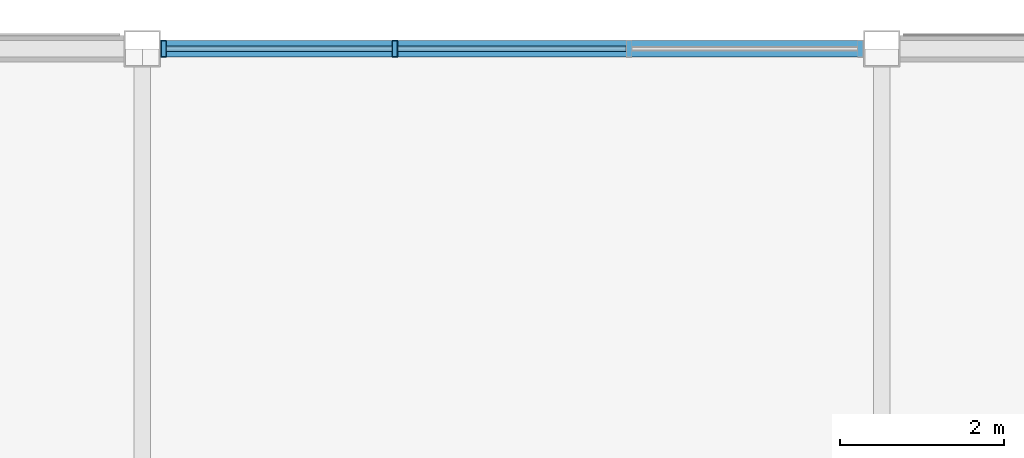
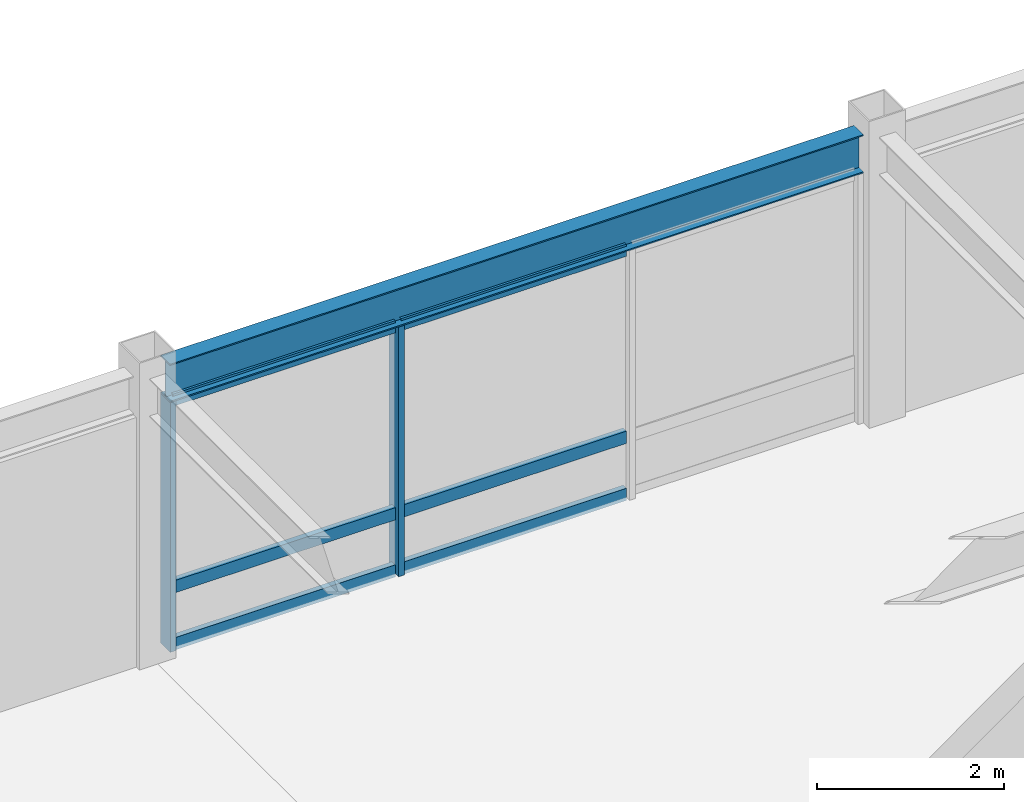
# One storey, part 74 of 122: 8 members, 1 beam, 1 element without a shape of its own.
"""IFC4 building model written with IfcOpenShell, lengths in metres."""

from ifc_helpers import new_model, si_unit, direction, frame, origin, origin_2d, place, context, subcontext, project, spatial, hollow_rectangle, i_section, extrude, material, material_profile, profile_set, type_object, element, aggregate, save


model = new_model("IFC4")

# Units and contexts
model_context = context("Model", 3, precision=1e-05, world=origin(), true_north=direction((0.0, 1.0)))
body_context = subcontext(model_context, "Body", "Model", "MODEL_VIEW")
ifc_project = project(units=[si_unit("LENGTHUNIT", "METRE"), si_unit("AREAUNIT", "SQUARE_METRE"), si_unit("VOLUMEUNIT", "CUBIC_METRE"), si_unit("PLANEANGLEUNIT", "RADIAN"), si_unit("MASSUNIT", "GRAM", prefix="KILO")], contexts=[model_context])

# Site, building, storey
site_placement = place(None, origin())
site = spatial("IfcSite", under=ifc_project, at=site_placement, CompositionType="ELEMENT")
building_placement = place(site_placement, origin())
building = spatial("IfcBuilding", under=site, at=building_placement, Name="Kazanami Central Library", CompositionType="ELEMENT")
storey_placement = place(building_placement, frame((0.0, 0.0, 4.800048828125)))
storey = spatial("IfcBuildingStorey", under=building, at=storey_placement, Name="L02", CompositionType="ELEMENT", Elevation=4.800048828125)

# Beam
ifc_material_1 = material(Name="Steel SN490B (325 MPa)", Category="steel")
ifc_material_profile_1 = material_profile(ifc_material_1, i_section(OverallWidth=0.199951171875, OverallDepth=0.5, WebThickness=0.010009765625, FlangeThickness=0.01611328125, at=origin_2d()), Name="H-500x200x10x16")
ifc_profile_set_1 = profile_set([ifc_material_profile_1], Name="Steel SN490B (325 MPa)")
beam_type = type_object("IfcBeamType", Name="BM-SP-1", PredefinedType="SPANDREL", material=ifc_profile_set_1)
beam_placement = place(storey_placement, frame((90.222900390625, 93.60009765625, 3.5048828125), z_axis=(1.0, 0.0, 0.0), x_axis=(0.0, 1.0, 0.0)))
element("IfcBeam", 1, at=beam_placement, inside=storey, type_object=beam_type, Name="Girder SP-1 L02 O/11-12", PredefinedType="SPANDREL", context=body_context, shape_type="SweptSolid", body=[
    extrude(i_section(OverallWidth=0.199951171875, OverallDepth=0.5, WebThickness=0.010009765625, FlangeThickness=0.01611328125, at=origin_2d()), origin(), (0.0, 0.0, 1.0), 8.55419921875),
])

# Curtain wall, members
ifc_material_2 = material(Name="Acid-Etched Low-E Laminated Glass", Category="glass")
curtain_wall_type = type_object("IfcCurtainWallType", Name="CW-8550x3255-M275", PredefinedType="USERDEFINED", material=ifc_material_2)
curtain_wall_placement = place(storey_placement, origin())
curtain_wall = element("IfcCurtainWall", 2, at=curtain_wall_placement, inside=storey, type_object=curtain_wall_type, Name="Unitised Curtain Wall CW-19 L02 N-O-10", ObjectType="UNITISED CURTAIN WALL", PredefinedType="USERDEFINED")
ifc_material_3 = material(Name="Anodised Aluminium A6063-T5", Category="aluminium")
ifc_material_profile_2 = material_profile(ifc_material_3, hollow_rectangle(XDim=0.070068359375, YDim=0.2099609375, WallThickness=0.0048828125, at=origin_2d()), Name="ALU-MULL-70x210x5")
ifc_profile_set_2 = profile_set([ifc_material_profile_2], Name="Anodised Aluminium A6063-T5")
member_type_1 = type_object("IfcMemberType", Name="MEM-CW-M1", PredefinedType="MULLION", material=ifc_profile_set_2)
member_1_placement = place(storey_placement, frame((93.074951171875, 93.60009765625, 0.0), z_axis=(0.0, 0.0, 1.0), x_axis=(-1.0, 0.0, 0.0)))
member_1 = element("IfcMember", 3, at=member_1_placement, type_object=member_type_1, Name="CW-19 mullion 3", PredefinedType="MULLION", context=body_context, shape_type="SweptSolid", body=[
    extrude(hollow_rectangle(XDim=0.070068359375, YDim=0.2099609375, WallThickness=0.0048828125, at=origin_2d()), origin(), (0.0, 0.0, 1.0), 3.2548828125),
])
member_2_placement = place(storey_placement, frame((90.260009765625, 93.60009765625, 0.0), z_axis=(0.0, 0.0, 1.0), x_axis=(-1.0, 0.0, 0.0)))
member_2 = element("IfcMember", 4, at=member_2_placement, type_object=member_type_1, Name="CW-19 mullion 4", PredefinedType="MULLION", context=body_context, shape_type="SweptSolid", body=[
    extrude(hollow_rectangle(XDim=0.070068359375, YDim=0.2099609375, WallThickness=0.0048828125, at=origin_2d()), origin(), (0.0, 0.0, 1.0), 3.2548828125),
])
ifc_material_profile_3 = material_profile(ifc_material_3, hollow_rectangle(XDim=0.070068359375, YDim=0.159912109375, WallThickness=0.00390625, at=origin_2d()), Name="ALU-TRAN-70x160x4")
ifc_profile_set_3 = profile_set([ifc_material_profile_3], Name="Anodised Aluminium A6063-T5")
member_type_2 = type_object("IfcMemberType", Name="MEM-CW-T1", PredefinedType="USERDEFINED", material=ifc_profile_set_3)
member_3_placement = place(storey_placement, frame((95.889892578125, 93.60009765625, 0.034912109375), z_axis=(-1.0, 0.0, 0.0), x_axis=(0.0, -1.0, 0.0)))
member_3 = element("IfcMember", 5, at=member_3_placement, type_object=member_type_2, Name="CW-19 transom 2.1", ObjectType="TRANSOM", PredefinedType="USERDEFINED", context=body_context, shape_type="SweptSolid", body=[
    extrude(hollow_rectangle(XDim=0.070068359375, YDim=0.159912109375, WallThickness=0.00390625, at=origin_2d()), origin(), (0.0, 0.0, 1.0), 2.77978515625),
])
member_4_placement = place(storey_placement, frame((95.889892578125, 93.60009765625, 0.780029296875), z_axis=(-1.0, 0.0, 0.0), x_axis=(0.0, -1.0, 0.0)))
member_4 = element("IfcMember", 6, at=member_4_placement, type_object=member_type_2, Name="CW-19 transom 2.2", ObjectType="TRANSOM", PredefinedType="USERDEFINED", context=body_context, shape_type="SweptSolid", body=[
    extrude(hollow_rectangle(XDim=0.070068359375, YDim=0.159912109375, WallThickness=0.00390625, at=origin_2d()), origin(), (0.0, 0.0, 1.0), 2.77978515625),
])
member_5_placement = place(storey_placement, frame((95.889892578125, 93.60009765625, 3.219970703125), z_axis=(-1.0, 0.0, 0.0), x_axis=(0.0, -1.0, 0.0)))
member_5 = element("IfcMember", 7, at=member_5_placement, type_object=member_type_2, Name="CW-19 transom 2.3", ObjectType="TRANSOM", PredefinedType="USERDEFINED", context=body_context, shape_type="SweptSolid", body=[
    extrude(hollow_rectangle(XDim=0.070068359375, YDim=0.159912109375, WallThickness=0.00390625, at=origin_2d()), origin(), (0.0, 0.0, 1.0), 2.77978515625),
])
member_6_placement = place(storey_placement, frame((93.0400390625, 93.60009765625, 0.034912109375), z_axis=(-1.0, 0.0, 0.0), x_axis=(0.0, -1.0, 0.0)))
member_6 = element("IfcMember", 8, at=member_6_placement, type_object=member_type_2, Name="CW-19 transom 3.1", ObjectType="TRANSOM", PredefinedType="USERDEFINED", context=body_context, shape_type="SweptSolid", body=[
    extrude(hollow_rectangle(XDim=0.070068359375, YDim=0.159912109375, WallThickness=0.00390625, at=origin_2d()), origin(), (0.0, 0.0, 1.0), 2.7451171875),
])
member_7_placement = place(storey_placement, frame((93.0400390625, 93.60009765625, 0.780029296875), z_axis=(-1.0, 0.0, 0.0), x_axis=(0.0, -1.0, 0.0)))
member_7 = element("IfcMember", 9, at=member_7_placement, type_object=member_type_2, Name="CW-19 transom 3.2", ObjectType="TRANSOM", PredefinedType="USERDEFINED", context=body_context, shape_type="SweptSolid", body=[
    extrude(hollow_rectangle(XDim=0.070068359375, YDim=0.159912109375, WallThickness=0.00390625, at=origin_2d()), origin(), (0.0, 0.0, 1.0), 2.7451171875),
])
member_8_placement = place(storey_placement, frame((93.0400390625, 93.60009765625, 3.219970703125), z_axis=(-1.0, 0.0, 0.0), x_axis=(0.0, -1.0, 0.0)))
member_8 = element("IfcMember", 10, at=member_8_placement, type_object=member_type_2, Name="CW-19 transom 3.3", ObjectType="TRANSOM", PredefinedType="USERDEFINED", context=body_context, shape_type="SweptSolid", body=[
    extrude(hollow_rectangle(XDim=0.070068359375, YDim=0.159912109375, WallThickness=0.00390625, at=origin_2d()), origin(), (0.0, 0.0, 1.0), 2.7451171875),
])
aggregate(curtain_wall, [member_1, member_2, member_3, member_4, member_5, member_6, member_7, member_8])

save(model, "model.ifc")
